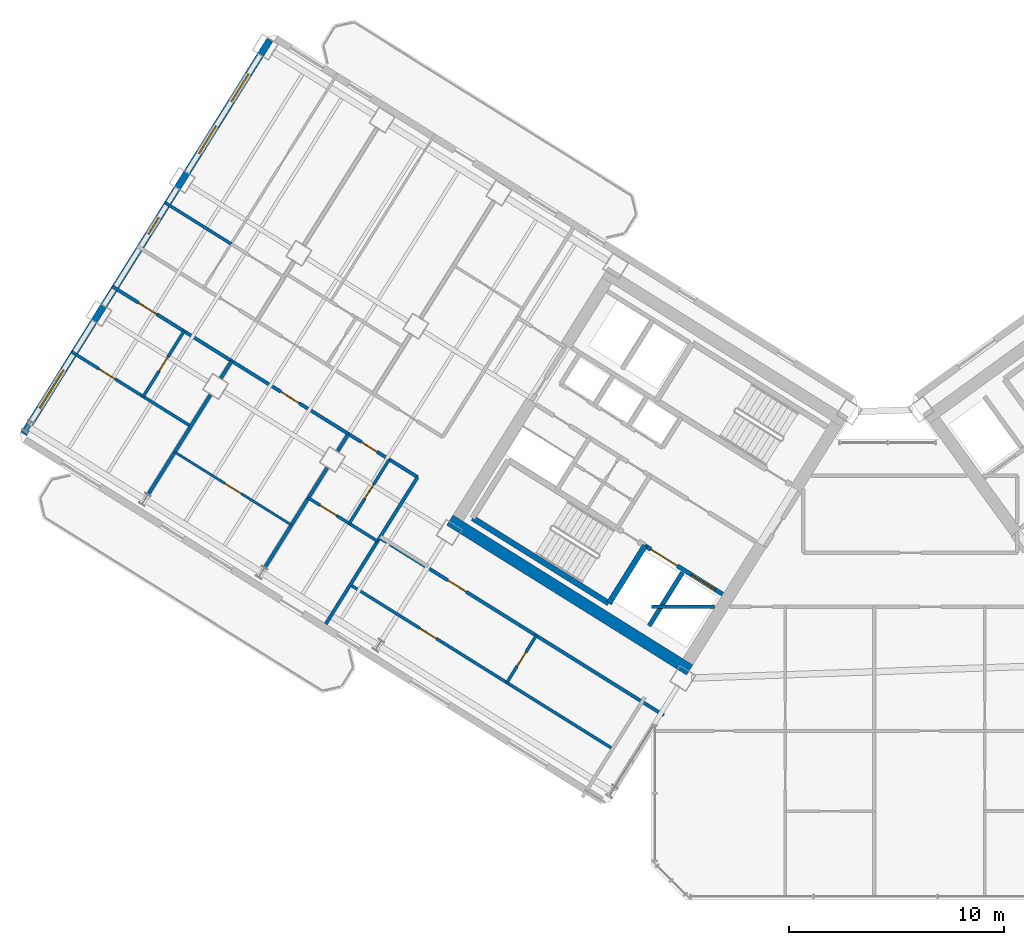
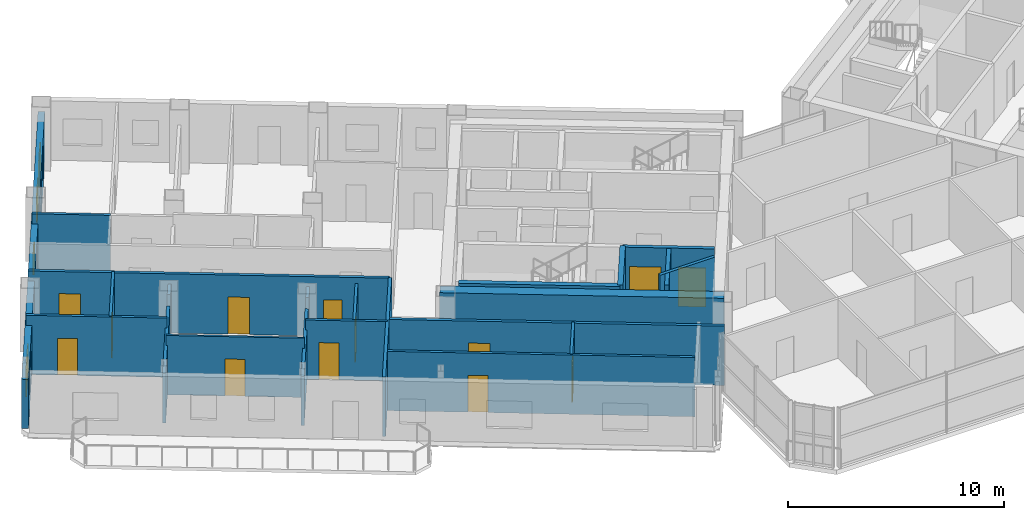
# One storey, part 16 of 25: 22 walls, 13 doors, 4 windows, 17 openings.
"""IFC4 building model written with IfcOpenShell, lengths in metres."""

from ifc_helpers import new_model, si_unit, direction, frame, frame_2d, origin, place, context, subcontext, project, spatial, rectangle, extrude, source, transform, mapped, material, layer, layer_set, type_object, element, fill, save


model = new_model("IFC4")

# Units and contexts
model_context = context("Model", 3, precision=1e-05, world=origin(), true_north=direction((0.0, 1.0)))
body_context = subcontext(model_context, "Body", "Model", "MODEL_VIEW")
ifc_project = project(units=[si_unit("LENGTHUNIT", "METRE"), si_unit("AREAUNIT", "SQUARE_METRE"), si_unit("VOLUMEUNIT", "CUBIC_METRE"), si_unit("PLANEANGLEUNIT", "RADIAN"), si_unit("MASSUNIT", "GRAM", prefix="KILO")], contexts=[model_context])

# Site, building, storey
site_placement = place(None, origin())
site = spatial("IfcSite", under=ifc_project, at=site_placement, CompositionType="ELEMENT")
building_placement = place(site_placement, origin())
building = spatial("IfcBuilding", under=site, at=building_placement, Name="Tlacorven Tower", CompositionType="ELEMENT")
storey_placement = place(building_placement, frame((0.0, 0.0, 155.10009765625)))
storey = spatial("IfcBuildingStorey", under=building, at=storey_placement, Name="L39", CompositionType="ELEMENT", Elevation=155.10009765625)

# Walls
ifc_material_1 = material(Name="Concrete C60/75", Category="concrete")
ifc_layer_1 = layer(ifc_material_1, 0.550048828125)
ifc_layer_set_1 = layer_set([ifc_layer_1], Name="Concrete C60/75")
wall_type_1 = type_object("IfcWallType", Name="WL-COR-550", PredefinedType="SHEAR", material=ifc_layer_set_1)
wall_1_placement = place(storey_placement, frame((33.3662109375, 12.4765625, 0.0), z_axis=(0.0, 0.0, 1.0), x_axis=(-0.848047359947, 0.529920442413, 0.0)))
element("IfcWall", 1, at=wall_1_placement, inside=storey, type_object=wall_type_1, Name="L39 W core shear wall S2", PredefinedType="SHEAR", context=body_context, shape_type="SweptSolid", body=[
    extrude(rectangle(XDim=13.139892578125, YDim=0.550048828125, at=frame_2d((6.56982421875, 0.0))), origin(), (0.0, 0.0, 1.0), 3.349853515625),
])
ifc_material_2 = material(Name="Gypsum plasterboard acoustic partition", Category="gypsum")
ifc_layer_2 = layer(ifc_material_2, 0.159912109375)
ifc_layer_set_2 = layer_set([ifc_layer_2], Name="Gypsum plasterboard acoustic partition")
wall_type_2 = type_object("IfcWallType", Name="WL-DEM-160", PredefinedType="PARTITIONING", material=ifc_layer_set_2)
wall_2_placement = place(storey_placement, frame((20.719482421875, 21.440185546875, 0.0), z_axis=(0.0, 0.0, 1.0), x_axis=(-0.529906246318, -0.848056230514, 0.0)))
element("IfcWall", 2, at=wall_2_placement, inside=storey, type_object=wall_type_2, Name="L39 partition 48", PredefinedType="PARTITIONING", context=body_context, shape_type="SweptSolid", body=[
    extrude(rectangle(XDim=8.0498046875, YDim=0.159912109375, at=frame_2d((4.02490234375, 0.0))), origin(), (0.0, 0.0, 1.0), 3.33984375),
])

# Wall, openings, doors
wall_3_placement = place(storey_placement, frame((20.719482421875, 21.440185546875, 0.0), z_axis=(0.0, 0.0, 1.0), x_axis=(-0.848048310262, 0.529918921593, 0.0)))
wall_3 = element("IfcWall", 3, at=wall_3_placement, inside=storey, type_object=wall_type_2, Name="L39 Wing W Corridor North Wall", PredefinedType="PARTITIONING", context=body_context, shape_type="SweptSolid", body=[
    extrude(rectangle(XDim=16.72998046875, YDim=0.159912109375, at=frame_2d((8.364990234375, 0.0))), origin(), (0.0, 0.0, 1.0), 3.33984375),
])
opening_1_placement = place(wall_3_placement, frame((2.219970703125, 0.0, 0.0)))
opening_1 = element("IfcOpeningElement", 4, at=opening_1_placement, cuts=wall_3, Name="Opening D19", PredefinedType="OPENING", context=body_context, shape_type="SweptSolid", body=[
    extrude(rectangle(XDim=0.860107421875, YDim=2.050048828125, at=frame_2d((0.43017578125, 1.02490234375))), frame((0.0, 0.08984375, 0.0), z_axis=(0.0, -1.0, 0.0), x_axis=(1.0, 0.0, 0.0)), (0.0, 0.0, 1.0), 0.179931640625),
])
opening_2_placement = place(wall_3_placement, frame((6.489990234375, 0.0, 0.0)))
opening_2 = element("IfcOpeningElement", 5, at=opening_2_placement, cuts=wall_3, Name="Opening D11", PredefinedType="OPENING", context=body_context, shape_type="SweptSolid", body=[
    extrude(rectangle(XDim=1.0, YDim=2.10009765625, at=frame_2d((0.5, 1.050048828125))), frame((0.0, 0.08984375, 0.0), z_axis=(0.0, -1.0, 0.0), x_axis=(1.0, 0.0, 0.0)), (0.0, 0.0, 1.0), 0.179931640625),
])
opening_3_placement = place(wall_3_placement, frame((14.303955078125, 0.0, 0.0)))
opening_3 = element("IfcOpeningElement", 6, at=opening_3_placement, cuts=wall_3, Name="Opening D11", PredefinedType="OPENING", context=body_context, shape_type="SweptSolid", body=[
    extrude(rectangle(XDim=1.0, YDim=2.10009765625, at=frame_2d((0.5, 1.050048828125))), frame((0.0, 0.08984375, 0.0), z_axis=(0.0, -1.0, 0.0), x_axis=(1.0, 0.0, 0.0)), (0.0, 0.0, 1.0), 0.179931640625),
])
ifc_material_3 = material(Name="Fire-rated steel door assembly", Category="steel")
door_type_1 = type_object("IfcDoorType", Name="DR-RSR-FD60-0860", OperationType="NOTDEFINED", PredefinedType="DOOR", material=ifc_material_3)
shared_shape_1 = source(origin(), body_context, "Body", "SweptSolid", [
    extrude(rectangle(XDim=0.860107421875, YDim=2.050048828125, at=frame_2d((0.43017578125, 1.02490234375))), frame((0.0, 0.02490234375, 0.0), z_axis=(0.0, -1.0, 0.0), x_axis=(1.0, 0.0, 0.0)), (0.0, 0.0, 1.0), 0.050048828125),
])
door_1_placement = place(opening_1_placement, origin())
door_1 = element("IfcDoor", 7, at=door_1_placement, inside=storey, type_object=door_type_1, Name="L39 door 024", OperationType="SINGLE_SWING_RIGHT", OverallHeight=2.050048828125, OverallWidth=0.860107421875, PredefinedType="DOOR", context=body_context, shape_type="MappedRepresentation", body=[
    mapped(shared_shape_1, transform((0.0, 0.0, 0.0), scale=1.0)),
])
fill(opening_1, door_1)
door_type_2 = type_object("IfcDoorType", Name="DR-FLT-FD60-1000", OperationType="NOTDEFINED", PredefinedType="DOOR", material=ifc_material_3)
shared_shape_2 = source(origin(), body_context, "Body", "SweptSolid", [
    extrude(rectangle(XDim=1.0, YDim=2.10009765625, at=frame_2d((0.5, 1.050048828125))), frame((0.0, 0.02490234375, 0.0), z_axis=(0.0, -1.0, 0.0), x_axis=(1.0, 0.0, 0.0)), (0.0, 0.0, 1.0), 0.050048828125),
])
door_2_placement = place(opening_2_placement, origin())
door_2 = element("IfcDoor", 8, at=door_2_placement, inside=storey, type_object=door_type_2, Name="L39 door 027", OperationType="SINGLE_SWING_LEFT", OverallHeight=2.10009765625, OverallWidth=1.0, PredefinedType="DOOR", context=body_context, shape_type="MappedRepresentation", body=[
    mapped(shared_shape_2, transform((0.0, 0.0, 0.0), scale=1.0)),
])
fill(opening_2, door_2)
door_3_placement = place(opening_3_placement, origin())
door_3 = element("IfcDoor", 9, at=door_3_placement, inside=storey, type_object=door_type_2, Name="L39 door 029", OperationType="SINGLE_SWING_LEFT", OverallHeight=2.10009765625, OverallWidth=1.0, PredefinedType="DOOR", context=body_context, shape_type="MappedRepresentation", body=[
    mapped(shared_shape_2, transform((0.0, 0.0, 0.0), scale=1.0)),
])
fill(opening_3, door_3)

# Walls
wall_4_placement = place(storey_placement, frame((17.505615234375, 23.44873046875, 0.0), z_axis=(0.0, 0.0, 1.0), x_axis=(-0.529835187763, -0.848100627171, 0.0)))
element("IfcWall", 10, at=wall_4_placement, inside=storey, type_object=wall_type_2, Name="L39 WN Demising Wall 1", PredefinedType="PARTITIONING", context=body_context, shape_type="SweptSolid", body=[
    extrude(rectangle(XDim=0.938232421875, YDim=0.159912109375, at=frame_2d((0.46923828125, 0.0))), origin(), (0.0, 0.0, 1.0), 2.77490234375),
])
wall_5_placement = place(storey_placement, frame((16.518798828125, 21.86962890625, 0.0), z_axis=(0.0, 0.0, 1.0), x_axis=(-0.529922447305, -0.848046107144, 0.0)))
element("IfcWall", 11, at=wall_5_placement, inside=storey, type_object=wall_type_2, Name="L39 WN Demising Wall 1", PredefinedType="PARTITIONING", context=body_context, shape_type="SweptSolid", body=[
    extrude(rectangle(XDim=5.451171875, YDim=0.159912109375, at=frame_2d((2.7255859375, 0.0))), origin(), (0.0, 0.0, 1.0), 2.77490234375),
])
wall_6_placement = place(storey_placement, frame((12.077880859375, 26.840087890625, 0.0), z_axis=(0.0, 0.0, 1.0), x_axis=(-0.529952145338, -0.848027548876, 0.0)))
element("IfcWall", 12, at=wall_6_placement, inside=storey, type_object=wall_type_2, Name="L39 WN Demising Wall 2", PredefinedType="PARTITIONING", context=body_context, shape_type="SweptSolid", body=[
    extrude(rectangle(XDim=0.93798828125, YDim=0.159912109375, at=frame_2d((0.468994140625, 0.0))), origin(), (0.0, 0.0, 1.0), 2.77490234375),
])
wall_7_placement = place(storey_placement, frame((11.09130859375, 25.260986328125, 0.0), z_axis=(0.0, 0.0, 1.0), x_axis=(-0.52994257524, -0.848033529377, 0.0)))
element("IfcWall", 13, at=wall_7_placement, inside=storey, type_object=wall_type_2, Name="L39 WN Demising Wall 2", PredefinedType="PARTITIONING", context=body_context, shape_type="SweptSolid", body=[
    extrude(rectangle(XDim=5.450927734375, YDim=0.159912109375, at=frame_2d((2.7255859375, 0.0))), origin(), (0.0, 0.0, 1.0), 2.77490234375),
])

# Wall, opening, door
wall_8_placement = place(storey_placement, frame((32.164306640625, 10.373779296875, 0.0), z_axis=(0.0, 0.0, 1.0), x_axis=(-0.848044107957, 0.529925646633, 0.0)))
wall_8 = element("IfcWall", 14, at=wall_8_placement, inside=storey, type_object=wall_type_2, Name="L39 partition 69", PredefinedType="PARTITIONING", context=body_context, shape_type="SweptSolid", body=[
    extrude(rectangle(XDim=15.570068359375, YDim=0.159912109375, at=frame_2d((7.78515625, 0.0))), origin(), (0.0, 0.0, 1.0), 3.33984375),
])
opening_4_placement = place(wall_8_placement, frame((10.830078125, 0.0, 0.0)))
opening_4 = element("IfcOpeningElement", 15, at=opening_4_placement, cuts=wall_8, Name="Opening D11", PredefinedType="OPENING", context=body_context, shape_type="SweptSolid", body=[
    extrude(rectangle(XDim=1.0, YDim=2.10009765625, at=frame_2d((0.5, 1.050048828125))), frame((0.0, 0.08984375, 0.0), z_axis=(0.0, -1.0, 0.0), x_axis=(1.0, 0.0, 0.0)), (0.0, 0.0, 1.0), 0.179931640625),
])
door_4_placement = place(opening_4_placement, origin())
door_4 = element("IfcDoor", 16, at=door_4_placement, inside=storey, type_object=door_type_2, Name="L39 door 043", OperationType="SINGLE_SWING_LEFT", OverallHeight=2.10009765625, OverallWidth=1.0, PredefinedType="DOOR", context=body_context, shape_type="MappedRepresentation", body=[
    mapped(shared_shape_2, transform((0.0, 0.0, 0.0), scale=1.0)),
])
fill(opening_4, door_4)

# Wall
wall_9_placement = place(storey_placement, frame((31.60009765625, 15.419921875, 0.0), z_axis=(0.0, 0.0, 1.0), x_axis=(1.0, 0.0, 0.0)))
element("IfcWall", 17, at=wall_9_placement, inside=storey, type_object=wall_type_2, Name="L39 Knuckle Corridor South Wall", PredefinedType="PARTITIONING", context=body_context, shape_type="SweptSolid", body=[
    extrude(rectangle(XDim=2.925048828125, YDim=0.159912109375, at=frame_2d((1.46240234375, 0.0))), origin(), (0.0, 0.0, 1.0), 3.33984375),
])

# Wall, openings, windows
ifc_material_4 = material(Name="Precast concrete C45/55", Category="concrete")
ifc_layer_3 = layer(ifc_material_4, 0.320068359375)
ifc_layer_set_3 = layer_set([ifc_layer_3], Name="Precast concrete C45/55")
wall_type_3 = type_object("IfcWallType", Name="WL-EXT-320", PredefinedType="STANDARD", material=ifc_layer_set_3)
wall_10_placement = place(storey_placement, frame((2.41455078125, 23.452392578125, 0.0), z_axis=(0.0, 0.0, 1.0), x_axis=(0.52991049553, 0.848053575387, 0.0)))
wall_10 = element("IfcWall", 18, at=wall_10_placement, inside=storey, type_object=wall_type_3, Name="L39 Masonry-Frame Recessed Facade Wall 2", PredefinedType="STANDARD", context=body_context, shape_type="SweptSolid", body=[
    extrude(rectangle(XDim=21.58740234375, YDim=0.320068359375, at=frame_2d((10.793701171875, 0.0))), origin(), (0.0, 0.0, 1.0), 2.77490234375),
])
opening_5_placement = place(wall_10_placement, frame((1.40625, 0.0, 0.800048828125)))
opening_5 = element("IfcOpeningElement", 19, at=opening_5_placement, cuts=wall_10, Name="Opening WN04", PredefinedType="OPENING", context=body_context, shape_type="SweptSolid", body=[
    extrude(rectangle(XDim=2.10009765625, YDim=1.550048828125, at=frame_2d((1.050048828125, 0.77490234375))), frame((0.0, 0.169921875, 0.0), z_axis=(0.0, -1.0, 0.0), x_axis=(1.0, 0.0, 0.0)), (0.0, 0.0, 1.0), 0.340087890625),
])
opening_6_placement = place(wall_10_placement, frame((10.94873046875, 0.0, 1.0)))
opening_6 = element("IfcOpeningElement", 20, at=opening_6_placement, cuts=wall_10, Name="Opening WN05", PredefinedType="OPENING", context=body_context, shape_type="SweptSolid", body=[
    extrude(rectangle(XDim=0.89990234375, YDim=1.25, at=frame_2d((0.449951171875, 0.625))), frame((0.0, 0.169921875, 0.0), z_axis=(0.0, -1.0, 0.0), x_axis=(1.0, 0.0, 0.0)), (0.0, 0.0, 1.0), 0.340087890625),
])
opening_7_placement = place(wall_10_placement, frame((15.36865234375, 0.0, 0.85009765625)))
opening_7 = element("IfcOpeningElement", 21, at=opening_7_placement, cuts=wall_10, Name="Opening WN02", PredefinedType="OPENING", context=body_context, shape_type="SweptSolid", body=[
    extrude(rectangle(XDim=1.5, YDim=1.5, at=frame_2d((0.75, 0.75))), frame((0.0, 0.169921875, 0.0), z_axis=(0.0, -1.0, 0.0), x_axis=(1.0, 0.0, 0.0)), (0.0, 0.0, 1.0), 0.340087890625),
])
opening_8_placement = place(wall_10_placement, frame((18.21875, 0.0, 0.85009765625)))
opening_8 = element("IfcOpeningElement", 22, at=opening_8_placement, cuts=wall_10, Name="Opening WN02", PredefinedType="OPENING", context=body_context, shape_type="SweptSolid", body=[
    extrude(rectangle(XDim=1.5, YDim=1.5, at=frame_2d((0.75, 0.75))), frame((0.0, 0.169921875, 0.0), z_axis=(0.0, -1.0, 0.0), x_axis=(1.0, 0.0, 0.0)), (0.0, 0.0, 1.0), 0.340087890625),
])
ifc_material_5 = material(Name="Dark solar low-E double glazing in anodised aluminium frame", Category="aluminium")
window_type_1 = type_object("IfcWindowType", Name="WN-APT-2100X1750", PartitioningType="SINGLE_PANEL", PredefinedType="WINDOW", material=ifc_material_5)
shared_shape_3 = source(origin(), body_context, "Body", "SweptSolid", [
    extrude(rectangle(XDim=2.10009765625, YDim=1.550048828125, at=frame_2d((1.050048828125, 0.77490234375))), frame((0.0, 0.030029296875, 0.0), z_axis=(0.0, -1.0, 0.0), x_axis=(1.0, 0.0, 0.0)), (0.0, 0.0, 1.0), 0.06005859375),
])
window_1_placement = place(opening_5_placement, origin())
window_1 = element("IfcWindow", 23, at=window_1_placement, inside=storey, type_object=window_type_1, Name="L39 Recessed Masonry-Frame Window L39-02.1", OverallHeight=1.550048828125, OverallWidth=2.10009765625, PartitioningType="SINGLE_PANEL", PredefinedType="WINDOW", context=body_context, shape_type="MappedRepresentation", body=[
    mapped(shared_shape_3, transform((0.0, 0.0, 0.0), scale=1.0)),
])
fill(opening_5, window_1)
window_type_2 = type_object("IfcWindowType", Name="WN-APT-1500X1650", PartitioningType="SINGLE_PANEL", PredefinedType="WINDOW", material=ifc_material_5)
shared_shape_4 = source(origin(), body_context, "Body", "SweptSolid", [
    extrude(rectangle(XDim=1.5, YDim=1.5, at=frame_2d((0.75, 0.75))), frame((0.0, 0.030029296875, 0.0), z_axis=(0.0, -1.0, 0.0), x_axis=(1.0, 0.0, 0.0)), (0.0, 0.0, 1.0), 0.06005859375),
])
window_2_placement = place(opening_7_placement, origin())
window_2 = element("IfcWindow", 24, at=window_2_placement, inside=storey, type_object=window_type_2, Name="L39 Recessed Masonry-Frame Window L39-02.3", OverallHeight=1.5, OverallWidth=1.5, PartitioningType="SINGLE_PANEL", PredefinedType="WINDOW", context=body_context, shape_type="MappedRepresentation", body=[
    mapped(shared_shape_4, transform((0.0, 0.0, 0.0), scale=1.0)),
])
fill(opening_7, window_2)
window_3_placement = place(opening_8_placement, origin())
window_3 = element("IfcWindow", 25, at=window_3_placement, inside=storey, type_object=window_type_2, Name="L39 Recessed Masonry-Frame Window L39-02.4", OverallHeight=1.5, OverallWidth=1.5, PartitioningType="SINGLE_PANEL", PredefinedType="WINDOW", context=body_context, shape_type="MappedRepresentation", body=[
    mapped(shared_shape_4, transform((0.0, 0.0, 0.0), scale=1.0)),
])
fill(opening_8, window_3)
window_type_3 = type_object("IfcWindowType", Name="WN-APT-0900X1350", PartitioningType="SINGLE_PANEL", PredefinedType="WINDOW", material=ifc_material_5)
shared_shape_5 = source(origin(), body_context, "Body", "SweptSolid", [
    extrude(rectangle(XDim=0.89990234375, YDim=1.25, at=frame_2d((0.449951171875, 0.625))), frame((0.0, 0.030029296875, 0.0), z_axis=(0.0, -1.0, 0.0), x_axis=(1.0, 0.0, 0.0)), (0.0, 0.0, 1.0), 0.06005859375),
])
window_4_placement = place(opening_6_placement, origin())
window_4 = element("IfcWindow", 26, at=window_4_placement, inside=storey, type_object=window_type_3, Name="L39 Recessed Masonry-Frame Window L39-02.2", OverallHeight=1.25, OverallWidth=0.89990234375, PartitioningType="SINGLE_PANEL", PredefinedType="WINDOW", context=body_context, shape_type="MappedRepresentation", body=[
    mapped(shared_shape_5, transform((0.0, 0.0, 0.0), scale=1.0)),
])
fill(opening_6, window_4)

# Wall, opening, door
ifc_material_6 = material(Name="Gypsum plasterboard partition", Category="gypsum")
ifc_layer_4 = layer(ifc_material_6, 0.110107421875)
ifc_layer_set_4 = layer_set([ifc_layer_4], Name="Gypsum plasterboard partition")
wall_type_4 = type_object("IfcWallType", Name="WL-INT-110", PredefinedType="PARTITIONING", material=ifc_layer_set_4)
wall_11_placement = place(storey_placement, frame((14.860107421875, 19.215087890625, 0.0), z_axis=(0.0, 0.0, 1.0), x_axis=(-0.848039019877, 0.529933789039, 0.0)))
wall_11 = element("IfcWall", 27, at=wall_11_placement, inside=storey, type_object=wall_type_4, Name="L39 partition 56", PredefinedType="PARTITIONING", context=body_context, shape_type="SweptSolid", body=[
    extrude(rectangle(XDim=6.400146484375, YDim=0.110107421875, at=frame_2d((3.2001953125, 0.0))), origin(), (0.0, 0.0, 1.0), 3.33984375),
])
opening_9_placement = place(wall_11_placement, frame((2.739990234375, 0.0, 0.0)))
opening_9 = element("IfcOpeningElement", 28, at=opening_9_placement, cuts=wall_11, Name="Opening D12", PredefinedType="OPENING", context=body_context, shape_type="SweptSolid", body=[
    extrude(rectangle(XDim=0.919921875, YDim=2.080078125, at=frame_2d((0.4599609375, 1.0400390625))), frame((0.0, 0.06494140625, 0.0), z_axis=(0.0, -1.0, 0.0), x_axis=(1.0, 0.0, 0.0)), (0.0, 0.0, 1.0), 0.130126953125),
])
ifc_material_7 = material(Name="Powder-coated aluminium and timber door", Category="wood")
door_type_3 = type_object("IfcDoorType", Name="DR-INT-ROOM-0920", OperationType="NOTDEFINED", PredefinedType="DOOR", material=ifc_material_7)
shared_shape_6 = source(origin(), body_context, "Body", "SweptSolid", [
    extrude(rectangle(XDim=0.919921875, YDim=2.080078125, at=frame_2d((0.4599609375, 1.0400390625))), frame((0.0, 0.02490234375, 0.0), z_axis=(0.0, -1.0, 0.0), x_axis=(1.0, 0.0, 0.0)), (0.0, 0.0, 1.0), 0.050048828125),
])
door_5_placement = place(opening_9_placement, origin())
door_5 = element("IfcDoor", 29, at=door_5_placement, inside=storey, type_object=door_type_3, Name="L39 door 028", OperationType="SINGLE_SWING_RIGHT", OverallHeight=2.080078125, OverallWidth=0.919921875, PredefinedType="DOOR", context=body_context, shape_type="MappedRepresentation", body=[
    mapped(shared_shape_6, transform((0.0, 0.0, 0.0), scale=1.0)),
])
fill(opening_9, door_5)

ifc_material_8 = material(Name="Moisture-resistant gypsum plumbing wall", Category="gypsum")
ifc_layer_5 = layer(ifc_material_8, 0.139892578125)
ifc_layer_set_5 = layer_set([ifc_layer_5], Name="Moisture-resistant gypsum plumbing wall")
wall_type_5 = type_object("IfcWallType", Name="WL-PLM-140", PredefinedType="PLUMBINGWALL", material=ifc_layer_set_5)
wall_12_placement = place(storey_placement, frame((18.859619140625, 18.463623046875, 0.0), z_axis=(0.0, 0.0, 1.0), x_axis=(-0.848059820872, 0.529900500304, 0.0)))
wall_12 = element("IfcWall", 30, at=wall_12_placement, inside=storey, type_object=wall_type_5, Name="L39 partition 53", PredefinedType="PLUMBINGWALL", context=body_context, shape_type="SweptSolid", body=[
    extrude(rectangle(XDim=3.7900390625, YDim=0.139892578125, at=frame_2d((1.89501953125, 0.0))), origin(), (0.0, 0.0, 1.0), 3.33984375),
])
opening_10_placement = place(wall_12_placement, frame((2.22998046875, 0.0, 0.0)))
opening_10 = element("IfcOpeningElement", 31, at=opening_10_placement, cuts=wall_12, Name="Opening D12", PredefinedType="OPENING", context=body_context, shape_type="SweptSolid", body=[
    extrude(rectangle(XDim=0.919921875, YDim=2.080078125, at=frame_2d((0.4599609375, 1.0400390625))), frame((0.0, 0.080078125, 0.0), z_axis=(0.0, -1.0, 0.0), x_axis=(1.0, 0.0, 0.0)), (0.0, 0.0, 1.0), 0.159912109375),
])
door_6_placement = place(opening_10_placement, origin())
door_6 = element("IfcDoor", 32, at=door_6_placement, inside=storey, type_object=door_type_3, Name="L39 door 025", OperationType="SINGLE_SWING_LEFT", OverallHeight=2.080078125, OverallWidth=0.919921875, PredefinedType="DOOR", context=body_context, shape_type="MappedRepresentation", body=[
    mapped(shared_shape_6, transform((0.0, 0.0, 0.0), scale=1.0)),
])
fill(opening_10, door_6)

wall_13_placement = place(storey_placement, frame((19.405029296875, 22.261474609375, 0.0), z_axis=(0.0, 0.0, 1.0), x_axis=(-0.529898896701, -0.848060822863, 0.0)))
wall_13 = element("IfcWall", 33, at=wall_13_placement, inside=storey, type_object=wall_type_5, Name="L39 partition 54", PredefinedType="PLUMBINGWALL", context=body_context, shape_type="SweptSolid", body=[
    extrude(rectangle(XDim=3.509765625, YDim=0.139892578125, at=frame_2d((1.7548828125, 0.0))), origin(), (0.0, 0.0, 1.0), 2.994873046875),
])
opening_11_placement = place(wall_13_placement, frame((1.364990234375, 0.0, 0.0)))
opening_11 = element("IfcOpeningElement", 34, at=opening_11_placement, cuts=wall_13, Name="Opening D22", PredefinedType="OPENING", context=body_context, shape_type="SweptSolid", body=[
    extrude(rectangle(XDim=0.780029296875, YDim=2.050048828125, at=frame_2d((0.39013671875, 1.02490234375))), frame((0.0, 0.080078125, 0.0), z_axis=(0.0, -1.0, 0.0), x_axis=(1.0, 0.0, 0.0)), (0.0, 0.0, 1.0), 0.159912109375),
])
door_type_4 = type_object("IfcDoorType", Name="DR-INT-WET-0780", OperationType="NOTDEFINED", PredefinedType="DOOR", material=ifc_material_7)
shared_shape_7 = source(origin(), body_context, "Body", "SweptSolid", [
    extrude(rectangle(XDim=0.780029296875, YDim=2.050048828125, at=frame_2d((0.39013671875, 1.02490234375))), frame((0.0, 0.02490234375, 0.0), z_axis=(0.0, -1.0, 0.0), x_axis=(1.0, 0.0, 0.0)), (0.0, 0.0, 1.0), 0.050048828125),
])
door_7_placement = place(opening_11_placement, origin())
door_7 = element("IfcDoor", 35, at=door_7_placement, inside=storey, type_object=door_type_4, Name="L39 door 026", OperationType="SINGLE_SWING_RIGHT", OverallHeight=2.050048828125, OverallWidth=0.780029296875, PredefinedType="DOOR", context=body_context, shape_type="MappedRepresentation", body=[
    mapped(shared_shape_7, transform((0.0, 0.0, 0.0), scale=1.0)),
])
fill(opening_11, door_7)

wall_14_placement = place(storey_placement, frame((10.180908203125, 23.80419921875, 0.0), z_axis=(0.0, 0.0, 1.0), x_axis=(-0.848065614912, 0.529891227332, 0.0)))
wall_14 = element("IfcWall", 36, at=wall_14_placement, inside=storey, type_object=wall_type_5, Name="L39 partition 57", PredefinedType="PLUMBINGWALL", context=body_context, shape_type="SweptSolid", body=[
    extrude(rectangle(XDim=6.519775390625, YDim=0.139892578125, at=frame_2d((3.259765625, 0.0))), origin(), (0.0, 0.0, 1.0), 3.33984375),
])
opening_12_placement = place(wall_14_placement, frame((4.1240234375, 0.0, 0.0)))
opening_12 = element("IfcOpeningElement", 37, at=opening_12_placement, cuts=wall_14, Name="Opening D12", PredefinedType="OPENING", context=body_context, shape_type="SweptSolid", body=[
    extrude(rectangle(XDim=0.919921875, YDim=2.080078125, at=frame_2d((0.4599609375, 1.0400390625))), frame((0.0, 0.080078125, 0.0), z_axis=(0.0, -1.0, 0.0), x_axis=(1.0, 0.0, 0.0)), (0.0, 0.0, 1.0), 0.159912109375),
])
door_8_placement = place(opening_12_placement, origin())
door_8 = element("IfcDoor", 38, at=door_8_placement, inside=storey, type_object=door_type_3, Name="L39 door 030", OperationType="SINGLE_SWING_RIGHT", OverallHeight=2.080078125, OverallWidth=0.919921875, PredefinedType="DOOR", context=body_context, shape_type="MappedRepresentation", body=[
    mapped(shared_shape_6, transform((0.0, 0.0, 0.0), scale=1.0)),
])
fill(opening_12, door_8)

wall_15_placement = place(storey_placement, frame((9.8662109375, 28.22216796875, 0.0), z_axis=(0.0, 0.0, 1.0), x_axis=(-0.529876336437, -0.84807491891, 0.0)))
wall_15 = element("IfcWall", 39, at=wall_15_placement, inside=storey, type_object=wall_type_5, Name="L39 partition 58", PredefinedType="PLUMBINGWALL", context=body_context, shape_type="SweptSolid", body=[
    extrude(rectangle(XDim=3.580078125, YDim=0.139892578125, at=frame_2d((1.7900390625, 0.0))), origin(), (0.0, 0.0, 1.0), 3.33984375),
])
opening_13_placement = place(wall_15_placement, frame((1.39990234375, 0.0, 0.0)))
opening_13 = element("IfcOpeningElement", 40, at=opening_13_placement, cuts=wall_15, Name="Opening D22", PredefinedType="OPENING", context=body_context, shape_type="SweptSolid", body=[
    extrude(rectangle(XDim=0.780029296875, YDim=2.050048828125, at=frame_2d((0.39013671875, 1.02490234375))), frame((0.0, 0.080078125, 0.0), z_axis=(0.0, -1.0, 0.0), x_axis=(1.0, 0.0, 0.0)), (0.0, 0.0, 1.0), 0.159912109375),
])
door_9_placement = place(opening_13_placement, origin())
door_9 = element("IfcDoor", 41, at=door_9_placement, inside=storey, type_object=door_type_4, Name="L39 door 031", OperationType="SINGLE_SWING_LEFT", OverallHeight=2.050048828125, OverallWidth=0.780029296875, PredefinedType="DOOR", context=body_context, shape_type="MappedRepresentation", body=[
    mapped(shared_shape_7, transform((0.0, 0.0, 0.0), scale=1.0)),
])
fill(opening_13, door_9)

# Wall
wall_16_placement = place(storey_placement, frame((12.056396484375, 32.27783203125, 0.0), z_axis=(0.0, 0.0, 1.0), x_axis=(-0.848039976902, 0.529932257535, 0.0)))
element("IfcWall", 42, at=wall_16_placement, inside=storey, type_object=wall_type_5, Name="L39 partition 68", PredefinedType="PLUMBINGWALL", context=body_context, shape_type="SweptSolid", body=[
    extrude(rectangle(XDim=3.6201171875, YDim=0.139892578125, at=frame_2d((1.81005859375, 0.0))), origin(), (0.0, 0.0, 1.0), 3.33984375),
])

# Wall, opening, door
wall_17_placement = place(storey_placement, frame((29.72021484375, 8.85888671875, 0.0), z_axis=(0.0, 0.0, 1.0), x_axis=(-0.848049134363, 0.529917602752, 0.0)))
wall_17 = element("IfcWall", 43, at=wall_17_placement, inside=storey, type_object=wall_type_5, Name="L39 partition 71", PredefinedType="PLUMBINGWALL", context=body_context, shape_type="SweptSolid", body=[
    extrude(rectangle(XDim=14.300048828125, YDim=0.139892578125, at=frame_2d((7.14990234375, 0.0))), origin(), (0.0, 0.0, 1.0), 3.33984375),
])
opening_14_placement = place(wall_17_placement, frame((9.570068359375, 0.0, 0.0)))
opening_14 = element("IfcOpeningElement", 44, at=opening_14_placement, cuts=wall_17, Name="Opening D12", PredefinedType="OPENING", context=body_context, shape_type="SweptSolid", body=[
    extrude(rectangle(XDim=0.919921875, YDim=2.080078125, at=frame_2d((0.4599609375, 1.0400390625))), frame((0.0, 0.080078125, 0.0), z_axis=(0.0, -1.0, 0.0), x_axis=(1.0, 0.0, 0.0)), (0.0, 0.0, 1.0), 0.159912109375),
])
door_10_placement = place(opening_14_placement, origin())
door_10 = element("IfcDoor", 45, at=door_10_placement, inside=storey, type_object=door_type_3, Name="L39 door 044", OperationType="SINGLE_SWING_RIGHT", OverallHeight=2.080078125, OverallWidth=0.919921875, PredefinedType="DOOR", context=body_context, shape_type="MappedRepresentation", body=[
    mapped(shared_shape_6, transform((0.0, 0.0, 0.0), scale=1.0)),
])
fill(opening_14, door_10)

wall_18_placement = place(storey_placement, frame((26.236572265625, 14.077880859375, 0.0), z_axis=(0.0, 0.0, 1.0), x_axis=(-0.52995640672, -0.848024885824, 0.0)))
wall_18 = element("IfcWall", 46, at=wall_18_placement, inside=storey, type_object=wall_type_5, Name="L39 partition 72", PredefinedType="PLUMBINGWALL", context=body_context, shape_type="SweptSolid", body=[
    extrude(rectangle(XDim=2.579833984375, YDim=0.139892578125, at=frame_2d((1.2900390625, 0.0))), origin(), (0.0, 0.0, 1.0), 3.33984375),
])
opening_15_placement = place(wall_18_placement, frame((0.89990234375, 0.0, 0.0)))
opening_15 = element("IfcOpeningElement", 47, at=opening_15_placement, cuts=wall_18, Name="Opening D22", PredefinedType="OPENING", context=body_context, shape_type="SweptSolid", body=[
    extrude(rectangle(XDim=0.780029296875, YDim=2.050048828125, at=frame_2d((0.39013671875, 1.02490234375))), frame((0.0, 0.080078125, 0.0), z_axis=(0.0, -1.0, 0.0), x_axis=(1.0, 0.0, 0.0)), (0.0, 0.0, 1.0), 0.159912109375),
])
door_11_placement = place(opening_15_placement, origin())
door_11 = element("IfcDoor", 48, at=door_11_placement, inside=storey, type_object=door_type_4, Name="L39 door 045", OperationType="SINGLE_SWING_LEFT", OverallHeight=2.050048828125, OverallWidth=0.780029296875, PredefinedType="DOOR", context=body_context, shape_type="MappedRepresentation", body=[
    mapped(shared_shape_7, transform((0.0, 0.0, 0.0), scale=1.0)),
])
fill(opening_15, door_11)

# Wall, openings, doors
ifc_material_9 = material(Name="Concrete C40/50", Category="concrete")
ifc_layer_6 = layer(ifc_material_9, 0.199951171875)
ifc_layer_set_6 = layer_set([ifc_layer_6], Name="Concrete C40/50")
wall_type_6 = type_object("IfcWallType", Name="WL-SHF-200", PredefinedType="STANDARD", material=ifc_layer_set_6)
wall_19_placement = place(storey_placement, frame((34.890625, 16.0048828125, 0.0), z_axis=(0.0, 0.0, 1.0), x_axis=(-0.848062873452, 0.529895614884, 0.0)))
wall_19 = element("IfcWall", 49, at=wall_19_placement, inside=storey, type_object=wall_type_6, Name="L39 Core W Firefighting Lift Shaft Front Wall", PredefinedType="STANDARD", context=body_context, shape_type="SweptSolid", body=[
    extrude(rectangle(XDim=4.248046875, YDim=0.199951171875, at=frame_2d((2.1240234375, 0.0))), origin(), (0.0, 0.0, 1.0), 3.33984375),
])
opening_16_placement = place(wall_19_placement, frame((0.39794921875, 0.0, 0.0)))
opening_16 = element("IfcOpeningElement", 50, at=opening_16_placement, cuts=wall_19, Name="Opening LD03", PredefinedType="OPENING", context=body_context, shape_type="SweptSolid", body=[
    extrude(rectangle(XDim=1.300048828125, YDim=2.199951171875, at=frame_2d((0.64990234375, 1.10009765625))), frame((0.0, 0.10986328125, 0.0), z_axis=(0.0, -1.0, 0.0), x_axis=(1.0, 0.0, 0.0)), (0.0, 0.0, 1.0), 0.219970703125),
])
opening_17_placement = place(wall_19_placement, frame((2.472900390625, 0.0, 0.0)))
opening_17 = element("IfcOpeningElement", 51, at=opening_17_placement, cuts=wall_19, Name="Opening LD04", PredefinedType="OPENING", context=body_context, shape_type="SweptSolid", body=[
    extrude(rectangle(XDim=1.449951171875, YDim=2.25, at=frame_2d((0.72509765625, 1.125))), frame((0.0, 0.10986328125, 0.0), z_axis=(0.0, -1.0, 0.0), x_axis=(1.0, 0.0, 0.0)), (0.0, 0.0, 1.0), 0.219970703125),
])
door_type_5 = type_object("IfcDoorType", Name="DR-LFT-SLID-1300", OperationType="DOUBLE_DOOR_SLIDING", PredefinedType="DOOR", material=ifc_material_3)
shared_shape_8 = source(origin(), body_context, "Body", "SweptSolid", [
    extrude(rectangle(XDim=1.300048828125, YDim=2.199951171875, at=frame_2d((0.64990234375, 1.10009765625))), frame((0.0, 0.02490234375, 0.0), z_axis=(0.0, -1.0, 0.0), x_axis=(1.0, 0.0, 0.0)), (0.0, 0.0, 1.0), 0.050048828125),
])
door_12_placement = place(opening_16_placement, origin())
door_12 = element("IfcDoor", 52, at=door_12_placement, inside=storey, type_object=door_type_5, Name="L39 Lift FFL-W1 Sliding Landing Door", OperationType="DOUBLE_DOOR_SLIDING", OverallHeight=2.199951171875, OverallWidth=1.300048828125, PredefinedType="DOOR", context=body_context, shape_type="MappedRepresentation", body=[
    mapped(shared_shape_8, transform((0.0, 0.0, 0.0), scale=1.0)),
])
fill(opening_16, door_12)
door_type_6 = type_object("IfcDoorType", Name="DR-LFT-SLID-1450", OperationType="DOUBLE_DOOR_SLIDING", PredefinedType="DOOR", material=ifc_material_3)
shared_shape_9 = source(origin(), body_context, "Body", "SweptSolid", [
    extrude(rectangle(XDim=1.449951171875, YDim=2.25, at=frame_2d((0.72509765625, 1.125))), frame((0.0, 0.02490234375, 0.0), z_axis=(0.0, -1.0, 0.0), x_axis=(1.0, 0.0, 0.0)), (0.0, 0.0, 1.0), 0.050048828125),
])
door_13_placement = place(opening_17_placement, origin())
door_13 = element("IfcDoor", 53, at=door_13_placement, inside=storey, type_object=door_type_6, Name="L39 Lift SVL-W1 Sliding Landing Door", OperationType="DOUBLE_DOOR_SLIDING", OverallHeight=2.25, OverallWidth=1.449951171875, PredefinedType="DOOR", context=body_context, shape_type="MappedRepresentation", body=[
    mapped(shared_shape_9, transform((0.0, 0.0, 0.0), scale=1.0)),
])
fill(opening_17, door_13)

# Walls
wall_20_placement = place(storey_placement, frame((33.02880859375, 17.003173828125, 0.0), z_axis=(0.0, 0.0, 1.0), x_axis=(-0.529916267533, -0.848049968695, 0.0)))
element("IfcWall", 54, at=wall_20_placement, inside=storey, type_object=wall_type_6, Name="L39 partition 14", PredefinedType="STANDARD", context=body_context, shape_type="SweptSolid", body=[
    extrude(rectangle(XDim=2.919921875, YDim=0.199951171875, at=frame_2d((1.4599609375, 0.0))), origin(), (0.0, 0.0, 1.0), 3.33984375),
])
ifc_material_10 = material(Name="Concrete C50/60", Category="concrete")
ifc_layer_7 = layer(ifc_material_10, 0.260009765625)
ifc_layer_set_7 = layer_set([ifc_layer_7], Name="Concrete C50/60")
wall_type_7 = type_object("IfcWallType", Name="WL-STW-260", PredefinedType="SHEAR", material=ifc_layer_set_7)
wall_21_placement = place(storey_placement, frame((29.60498046875, 15.581298828125, 0.0), z_axis=(0.0, 0.0, 1.0), x_axis=(-0.848036911448, 0.529937163087, 0.0)))
element("IfcWall", 55, at=wall_21_placement, inside=storey, type_object=wall_type_7, Name="L39 Stair W1 Far Shear Wall", PredefinedType="SHEAR", context=body_context, shape_type="SweptSolid", body=[
    extrude(rectangle(XDim=7.4599609375, YDim=0.260009765625, at=frame_2d((3.72998046875, 0.0))), origin(), (0.0, 0.0, 1.0), 3.349853515625),
])
wall_22_placement = place(storey_placement, frame((31.2880859375, 18.255859375, 0.0), z_axis=(0.0, 0.0, 1.0), x_axis=(-0.529943379326, -0.848033026897, 0.0)))
element("IfcWall", 56, at=wall_22_placement, inside=storey, type_object=wall_type_7, Name="L39 Stair W1 West Shear Wall", PredefinedType="SHEAR", context=body_context, shape_type="SweptSolid", body=[
    extrude(rectangle(XDim=3.159912109375, YDim=0.260009765625, at=frame_2d((1.580078125, 0.0))), origin(), (0.0, 0.0, 1.0), 3.349853515625),
])

save(model, "model.ifc")
